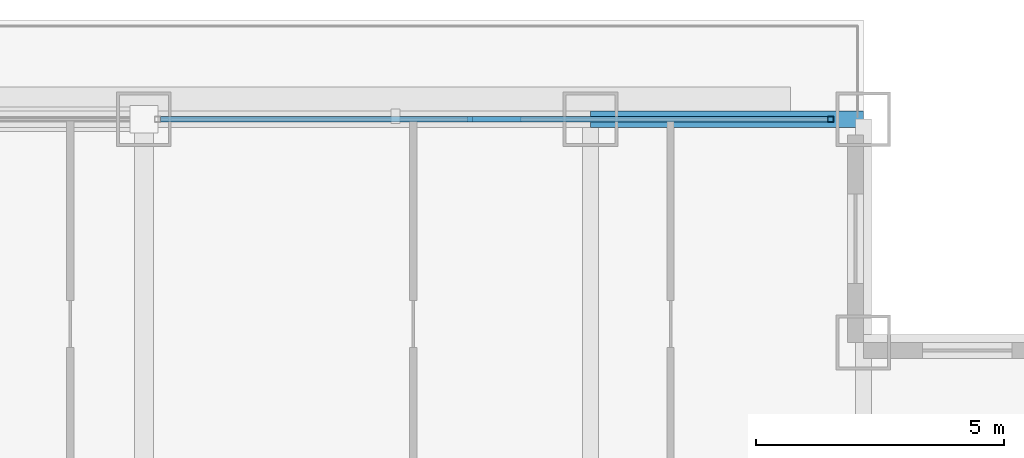
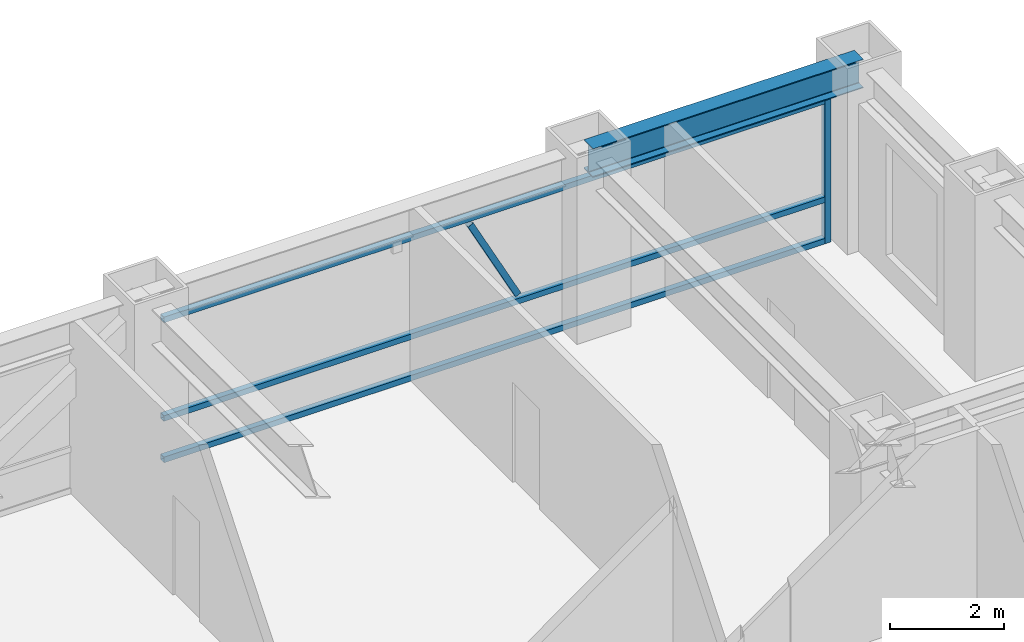
# One storey, part 24 of 35: 5 members, 1 beam, 1 element without a shape of its own.
"""IFC4 building model written with IfcOpenShell, lengths in metres."""

import ifcopenshell
import ifcopenshell.guid

model = None  # the IFC model being written
_history = None  # IfcOwnerHistory: only IFC2X3 demands one
_inside = {}  # id of a spatial element -> (the spatial element, [elements in it])
_under = {}  # id of a project, library or spatial element -> (it, [spatial elements below it])
_declared = {}  # id of a project -> (the project, [libraries it declares])
_typed = {}  # id of a type object -> (the type object, [elements of that type])
_made_of = {}  # id of a material, layer set ... -> (it, [elements and type objects made of it])


def new_model(schema):
    """Start an empty IFC model of exactly this schema.

    Asked for "IFC4X3", IfcOpenShell would pick the latest addendum, in which some entities
    have other attributes; the version numbers below select the first issue.
    IFC2X3 requires an IfcOwnerHistory on every rooted entity: one is made here for all.
    """
    global model, _history
    if schema == "IFC4X3":
        model = ifcopenshell.file(schema_version=(4, 3, 0, 0))
    else:
        model = ifcopenshell.file(schema=schema)
    _inside.clear()
    _under.clear()
    _declared.clear()
    _typed.clear()
    _made_of.clear()
    _history = None
    if model.schema == "IFC2X3":
        org = make("IfcOrganization", Name="unknown")
        user = make(
            "IfcPersonAndOrganization",
            ThePerson=make("IfcPerson", FamilyName="unknown"),
            TheOrganization=org,
        )
        app = make(
            "IfcApplication",
            ApplicationDeveloper=org,
            Version="unknown",
            ApplicationFullName="unknown",
            ApplicationIdentifier="unknown",
        )
        _history = make(
            "IfcOwnerHistory",
            OwningUser=user,
            OwningApplication=app,
            ChangeAction="ADDED",
            CreationDate=0,
        )
    return model


def make(cls, **values):
    """One entity of the class cls with the attributes given. An attribute that is None is left unset."""
    return model.create_entity(
        cls, **{name: value for name, value in values.items() if value is not None}
    )


def rooted(cls, **values):
    """An entity with a GlobalId (a new one), such as an element, a storey or a relation."""
    return make(cls, GlobalId=ifcopenshell.guid.new(), OwnerHistory=_history, **values)


def si_unit(unit_type, name, prefix=None):
    """IfcSIUnit, for example si_unit("LENGTHUNIT", "METRE", prefix="MILLI")."""
    return make("IfcSIUnit", UnitType=unit_type, Prefix=prefix, Name=name)


def assignment(units):
    """IfcUnitAssignment: the units of a project."""
    return None if units is None else make("IfcUnitAssignment", Units=units)


def point(xyz):
    """IfcCartesianPoint."""
    return None if xyz is None else make("IfcCartesianPoint", Coordinates=xyz)


def direction(xyz):
    """IfcDirection."""
    return None if xyz is None else make("IfcDirection", DirectionRatios=xyz)


def frame(location, z_axis=None, x_axis=None):
    """IfcAxis2Placement3D, a coordinate frame: its origin and axes. An axis left out is left unset."""
    return make(
        "IfcAxis2Placement3D",
        Location=point(location),
        Axis=direction(z_axis),
        RefDirection=direction(x_axis),
    )


def frame_2d(location, x_axis=None):
    """IfcAxis2Placement2D, a coordinate frame in the plane: its origin and x axis."""
    return make(
        "IfcAxis2Placement2D", Location=point(location), RefDirection=direction(x_axis)
    )


def origin():
    """The frame at (0, 0, 0) with its axes left unset."""
    return frame((0.0, 0.0, 0.0))


def origin_2d():
    """The frame at (0, 0) in the plane with its x axis left unset."""
    return frame_2d((0.0, 0.0))


def place(relative_to, where):
    """IfcLocalPlacement: puts the frame where relative to a parent placement (None: the world)."""
    return make(
        "IfcLocalPlacement", PlacementRelTo=relative_to, RelativePlacement=where
    )


def context(
    kind, dimensions, precision=None, world=None, true_north=None, identifier=None
):
    """IfcGeometricRepresentationContext, for example the 3D "Model" context."""
    return make(
        "IfcGeometricRepresentationContext",
        ContextIdentifier=identifier,
        ContextType=kind,
        CoordinateSpaceDimension=dimensions,
        Precision=precision,
        WorldCoordinateSystem=world,
        TrueNorth=true_north,
    )


def subcontext(parent, identifier, kind, view, scale=None):
    """IfcGeometricRepresentationSubContext, for example "Body" below "Model"."""
    return make(
        "IfcGeometricRepresentationSubContext",
        ContextIdentifier=identifier,
        ContextType=kind,
        ParentContext=parent,
        TargetScale=scale,
        TargetView=view,
    )


def project(units=None, contexts=None):
    """IfcProject with its units and contexts."""
    return rooted(
        "IfcProject",
        Name="project",
        RepresentationContexts=contexts,
        UnitsInContext=assignment(units),
    )


def spatial(cls, under=None, at=None, **own):
    """A site, building, storey or space (cls), placed at a placement, below another one or the project."""
    s = rooted(cls, ObjectPlacement=at, **own)
    if under is not None:
        _under.setdefault(under.id(), (under, []))[1].append(s)
    return s


def profile(cls, at=None, kind="AREA", **sizes):
    """A parametric profile (cls). Its sizes go by their IFC names, for example OverallWidth=200.0."""
    return make(cls, ProfileType=kind, Position=at, **sizes)


def hollow_rectangle(**sizes):
    """IfcRectangleHollowProfileDef."""
    return profile("IfcRectangleHollowProfileDef", **sizes)


def i_section(**sizes):
    """IfcIShapeProfileDef."""
    return profile("IfcIShapeProfileDef", **sizes)


def extrude(swept, where, along, depth):
    """IfcExtrudedAreaSolid: the profile swept, set in the frame where, extruded along a direction by depth."""
    return make(
        "IfcExtrudedAreaSolid",
        SweptArea=swept,
        Position=where,
        ExtrudedDirection=direction(along),
        Depth=depth,
    )


def shape(context_of_items, identifier, shape_type, items):
    """IfcShapeRepresentation: the items that make up one representation, for example the "Body"."""
    return make(
        "IfcShapeRepresentation",
        ContextOfItems=context_of_items,
        RepresentationIdentifier=identifier,
        RepresentationType=shape_type,
        Items=items,
    )


def source(mapping_origin, context_of_items, identifier, shape_type, items):
    """IfcRepresentationMap: a shape defined once, which mapped items show again and again."""
    return make(
        "IfcRepresentationMap",
        MappingOrigin=mapping_origin,
        MappedRepresentation=shape(context_of_items, identifier, shape_type, items),
    )


def transform(
    local_origin,
    x_axis=None,
    y_axis=None,
    z_axis=None,
    scale=None,
    scale2=None,
    scale3=None,
    uniform=True,
):
    """IfcCartesianTransformationOperator3D, or its non-uniform kind. x_axis, y_axis, z_axis: its Axis1, 2, 3."""
    if uniform:
        return make(
            "IfcCartesianTransformationOperator3D",
            Axis1=direction(x_axis),
            Axis2=direction(y_axis),
            LocalOrigin=point(local_origin),
            Scale=scale,
            Axis3=direction(z_axis),
        )
    return make(
        "IfcCartesianTransformationOperator3DnonUniform",
        Axis1=direction(x_axis),
        Axis2=direction(y_axis),
        LocalOrigin=point(local_origin),
        Scale=scale,
        Axis3=direction(z_axis),
        Scale2=scale2,
        Scale3=scale3,
    )


def mapped(mapping_source, mapping_target):
    """IfcMappedItem: shows the shape of a source again, moved by a transform."""
    return make(
        "IfcMappedItem", MappingSource=mapping_source, MappingTarget=mapping_target
    )


def material(Name=None, Category=None):
    """IfcMaterial."""
    return make("IfcMaterial", Name=Name, Category=Category)


def material_profile(
    of_material, cross_section, Name=None, Category=None, Priority=None
):
    """IfcMaterialProfile: a cross section and its material."""
    return make(
        "IfcMaterialProfile",
        Name=Name,
        Material=of_material,
        Profile=cross_section,
        Priority=Priority,
        Category=Category,
    )


def profile_set(profiles, Name=None, composite=None):
    """IfcMaterialProfileSet."""
    return make(
        "IfcMaterialProfileSet",
        Name=Name,
        MaterialProfiles=profiles,
        CompositeProfile=composite,
    )


def made_of(thing, what):
    """Note that an element or type object is made of a material, layer set ...; save() writes the relation."""
    if what is not None:
        _made_of.setdefault(what.id(), (what, []))[1].append(thing)
    return thing


def type_object(cls, material=None, **own):
    """A type object (cls), such as IfcWallType, which elements share."""
    return made_of(rooted(cls, **own), material)


def element(
    cls,
    number,
    at=None,
    inside=None,
    cuts=None,
    type_object=None,
    material=None,
    context=None,
    identifier="Body",
    shape_type=None,
    held_by="IfcProductDefinitionShape",
    body=None,
    shapes=None,
    **own,
):
    """One element of the class cls, such as IfcWall. Its Tag is "e" and its number.

    at: its placement. inside: the storey or other place that contains it. cuts: it is an
    opening in that element (IfcRelVoidsElement). A single representation is given by context,
    identifier, shape_type and body (its items); several are given by shapes. held_by: the class
    of the entity that holds the representations. save() writes the other relations.
    """
    e = rooted(cls, Tag="e%d" % number, ObjectPlacement=at, **own)
    if body is not None:
        shapes = [shape(context, identifier, shape_type, body)]
    if shapes is not None:
        e.Representation = make(held_by, Representations=shapes)
    if inside is not None:
        _inside.setdefault(inside.id(), (inside, []))[1].append(e)
    if cuts is not None:
        rooted(
            "IfcRelVoidsElement", RelatingBuildingElement=cuts, RelatedOpeningElement=e
        )
    if type_object is not None:
        _typed.setdefault(type_object.id(), (type_object, []))[1].append(e)
    return made_of(e, material)


def aggregate(whole, parts):
    """IfcRelAggregates: a whole, such as a stair, and the parts it consists of."""
    return rooted("IfcRelAggregates", RelatingObject=whole, RelatedObjects=parts)


def save(model, path):
    """Write the relations noted so far, then the file.

    IfcRelAggregates (storeys below a building ...), IfcRelContainedInSpatialStructure (elements
    in a storey), IfcRelDefinesByType, IfcRelAssociatesMaterial and IfcRelDeclares: one each for
    every whole, place, type object, material and project.
    """
    for whole, parts in _under.values():
        aggregate(whole, parts)
    for where, things in _inside.values():
        rooted(
            "IfcRelContainedInSpatialStructure",
            RelatedElements=things,
            RelatingStructure=where,
        )
    for kind, things in _typed.values():
        rooted("IfcRelDefinesByType", RelatedObjects=things, RelatingType=kind)
    for what, things in _made_of.values():
        rooted("IfcRelAssociatesMaterial", RelatedObjects=things, RelatingMaterial=what)
    for by, libraries in _declared.values():
        rooted("IfcRelDeclares", RelatingContext=by, RelatedDefinitions=libraries)
    model.write(path)


model = new_model("IFC4")

# Units and contexts
model_context = context("Model", 3, precision=1e-05, world=origin(), true_north=direction((0.0, 1.0)))
body_context = subcontext(model_context, "Body", "Model", "MODEL_VIEW")
ifc_project = project(units=[si_unit("LENGTHUNIT", "METRE"), si_unit("AREAUNIT", "SQUARE_METRE"), si_unit("VOLUMEUNIT", "CUBIC_METRE"), si_unit("PLANEANGLEUNIT", "RADIAN"), si_unit("MASSUNIT", "GRAM", prefix="KILO")], contexts=[model_context])

# Site, building, storey
site_placement = place(None, origin())
site = spatial("IfcSite", under=ifc_project, at=site_placement, CompositionType="ELEMENT")
building_placement = place(site_placement, origin())
building = spatial("IfcBuilding", under=site, at=building_placement, Name="Khorayat Bourse Tower", CompositionType="ELEMENT")
storey_placement = place(building_placement, frame((0.0, 0.0, 155.10009765625)))
storey = spatial("IfcBuildingStorey", under=building, at=storey_placement, Name="L35", CompositionType="ELEMENT", Elevation=155.10009765625)

# Beam
ifc_material_1 = material(Name="Steel ASTM A992 Grade 50", Category="steel")
ifc_material_profile_1 = material_profile(ifc_material_1, i_section(OverallWidth=0.324951171875, OverallDepth=0.615966796875, WebThickness=0.013916015625, FlangeThickness=0.021484375, FilletRadius=0.01611328125, at=origin_2d()), Name="W610X174")
ifc_profile_set_1 = profile_set([ifc_material_profile_1], Name="Steel ASTM A992 Grade 50")
beam_type = type_object("IfcBeamType", Name="BM-SPAN-610", PredefinedType="SPANDREL", material=ifc_profile_set_1)
shared_shape_1 = source(origin(), body_context, "Body", "SweptSolid", [
    extrude(i_section(OverallWidth=0.324951171875, OverallDepth=0.615966796875, WebThickness=0.013916015625, FlangeThickness=0.021484375, FilletRadius=0.01611328125, at=origin_2d()), origin(), (0.0, 0.0, 1.0), 5.5),
])
beam_placement = place(storey_placement, frame((20.0, 30.0, 3.471923828125), z_axis=(1.0, 0.0, 0.0), x_axis=(0.0, 1.0, 0.0)))
element("IfcBeam", 1, at=beam_placement, inside=storey, type_object=beam_type, Name="L35 BM-SPAN-610 BM-L35-SPN-044", PredefinedType="SPANDREL", context=body_context, shape_type="MappedRepresentation", body=[
    mapped(shared_shape_1, transform((0.0, 0.0, 0.0), scale=1.0)),
])

# Curtain wall, members
ifc_material_2 = material(Name="Aluminium EN AW-6063 T6", Category="aluminium")
curtain_wall_type = type_object("IfcCurtainWallType", Name="CW-SYS-03", PredefinedType="NOTDEFINED", material=ifc_material_2)
curtain_wall_placement = place(storey_placement, origin())
curtain_wall = element("IfcCurtainWall", 2, at=curtain_wall_placement, inside=storey, type_object=curtain_wall_type, Name="L35 Curtain Wall CW-L35-N2", PredefinedType="NOTDEFINED")
ifc_material_profile_2 = material_profile(ifc_material_2, hollow_rectangle(XDim=0.1201171875, YDim=0.1201171875, WallThickness=0.0048828125, at=origin_2d()), Name="ALU 120x120x5")
ifc_profile_set_2 = profile_set([ifc_material_profile_2], Name="Aluminium EN AW-6063 T6")
member_type_1 = type_object("IfcMemberType", Name="CWM-VERT-120", PredefinedType="MULLION", material=ifc_profile_set_2)
shared_shape_2 = source(origin(), body_context, "Body", "SweptSolid", [
    extrude(hollow_rectangle(XDim=0.1201171875, YDim=0.1201171875, WallThickness=0.0048828125, at=origin_2d()), origin(), (0.0, 0.0, 1.0), 3.1298828125),
])
member_1_placement = place(storey_placement, frame((24.840087890625, 30.0, 0.0), z_axis=(0.0, 0.0, 1.0), x_axis=(0.0, 1.0, 0.0)))
member_1 = element("IfcMember", 3, at=member_1_placement, type_object=member_type_1, Name="CW-L35-N2 Vertical Mullion 3", PredefinedType="MULLION", context=body_context, shape_type="MappedRepresentation", body=[
    mapped(shared_shape_2, transform((0.0, 0.0, 0.0), scale=1.0)),
])
ifc_material_profile_3 = material_profile(ifc_material_2, hollow_rectangle(XDim=0.1201171875, YDim=0.1201171875, WallThickness=0.0048828125, at=origin_2d()), Name="ALU 120x120x5")
ifc_profile_set_3 = profile_set([ifc_material_profile_3], Name="Aluminium EN AW-6063 T6")
member_type_2 = type_object("IfcMemberType", Name="CWM-DIAG-120", PredefinedType="MULLION", material=ifc_profile_set_3)
shared_shape_3 = source(origin(), body_context, "Body", "SweptSolid", [
    extrude(hollow_rectangle(XDim=0.1201171875, YDim=0.1201171875, WallThickness=0.0048828125, at=origin_2d()), origin(), (0.0, 0.0, 1.0), 2.079345703125),
])
member_2_placement = place(storey_placement, frame((18.541748046875, 30.0, 1.08984375), z_axis=(-0.465760949701, 0.0, 0.884910581773), x_axis=(0.0, -1.0, 0.0)))
member_2 = element("IfcMember", 4, at=member_2_placement, type_object=member_type_2, Name="CW-L35-N2 Faceted Diagonal Mullion 2", PredefinedType="MULLION", context=body_context, shape_type="MappedRepresentation", body=[
    mapped(shared_shape_3, transform((0.0, 0.0, 0.0), scale=1.0)),
])
ifc_material_profile_4 = material_profile(ifc_material_2, hollow_rectangle(XDim=0.1201171875, YDim=0.1201171875, WallThickness=0.0048828125, at=origin_2d()), Name="ALU 120x120x5")
ifc_profile_set_4 = profile_set([ifc_material_profile_4], Name="Aluminium EN AW-6063 T6")
member_type_3 = type_object("IfcMemberType", Name="CWT-HORZ-120", PredefinedType="USERDEFINED", material=ifc_profile_set_4)
shared_shape_4 = source(origin(), body_context, "Body", "SweptSolid", [
    extrude(hollow_rectangle(XDim=0.1201171875, YDim=0.1201171875, WallThickness=0.0048828125, at=origin_2d()), origin(), (0.0, 0.0, 1.0), 13.445068359375),
])
member_3_placement = place(storey_placement, frame((11.3349609375, 30.0, 0.059814453125), z_axis=(1.0, 0.0, 0.0), x_axis=(0.0, 1.0, 0.0)))
member_3 = element("IfcMember", 5, at=member_3_placement, type_object=member_type_3, Name="CW-L35-N2 Horizontal Transom 2-1", ObjectType="TRANSOM", PredefinedType="USERDEFINED", context=body_context, shape_type="MappedRepresentation", body=[
    mapped(shared_shape_4, transform((0.0, 0.0, 0.0), scale=1.0)),
])
member_4_placement = place(storey_placement, frame((11.3349609375, 30.0, 0.949951171875), z_axis=(1.0, 0.0, 0.0), x_axis=(0.0, 1.0, 0.0)))
member_4 = element("IfcMember", 6, at=member_4_placement, type_object=member_type_3, Name="CW-L35-N2 Horizontal Transom 2-2", ObjectType="TRANSOM", PredefinedType="USERDEFINED", context=body_context, shape_type="MappedRepresentation", body=[
    mapped(shared_shape_4, transform((0.0, 0.0, 0.0), scale=1.0)),
])
member_5_placement = place(storey_placement, frame((11.3349609375, 30.0, 3.06982421875), z_axis=(1.0, 0.0, 0.0), x_axis=(0.0, 1.0, 0.0)))
member_5 = element("IfcMember", 7, at=member_5_placement, type_object=member_type_3, Name="CW-L35-N2 Horizontal Transom 2-3", ObjectType="TRANSOM", PredefinedType="USERDEFINED", context=body_context, shape_type="MappedRepresentation", body=[
    mapped(shared_shape_4, transform((0.0, 0.0, 0.0), scale=1.0)),
])
aggregate(curtain_wall, [member_1, member_3, member_4, member_5, member_2])

save(model, "model.ifc")
